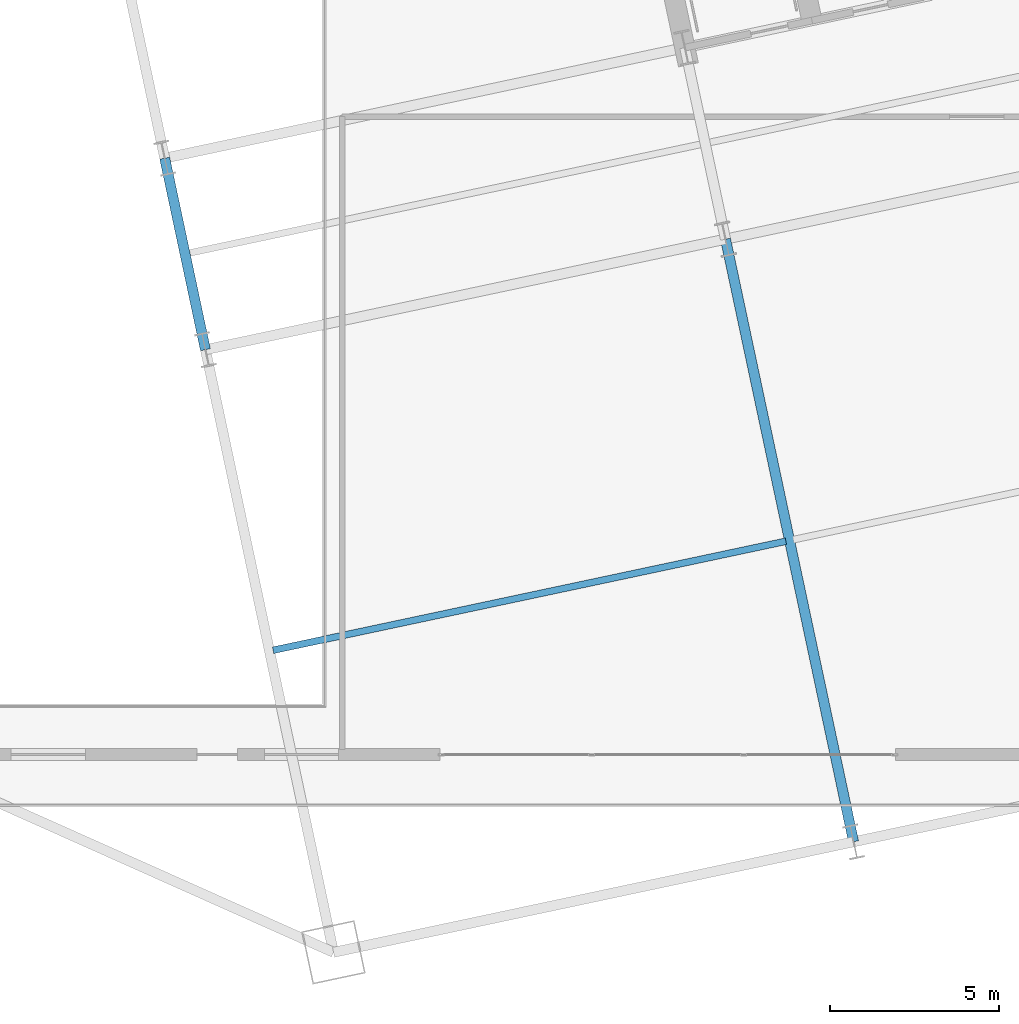
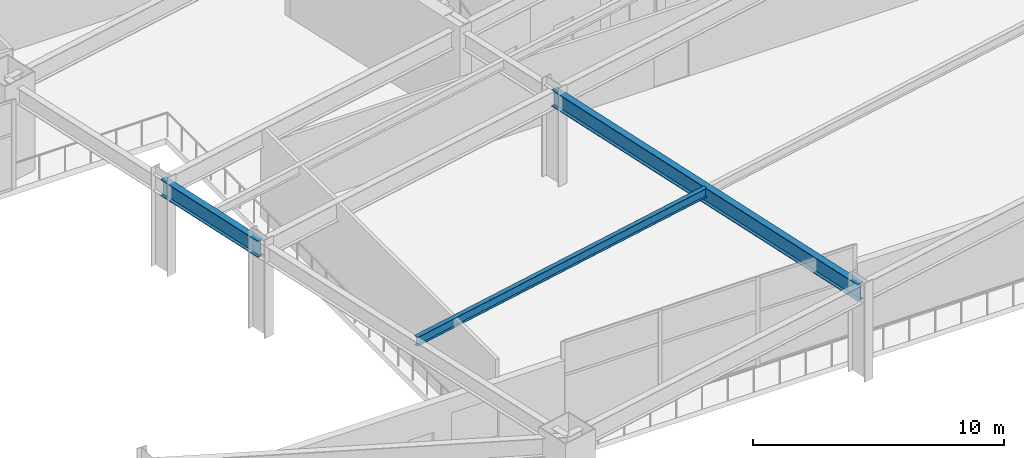
# One storey, part 13 of 35: 3 beams.
"""IFC4 building model written with IfcOpenShell, lengths in metres."""

from ifc_helpers import new_model, si_unit, direction, frame, origin, origin_2d, place, context, subcontext, project, spatial, i_section, extrude, material, material_profile, profile_set, type_object, element, save


model = new_model("IFC4")

# Units and contexts
model_context = context("Model", 3, precision=1e-05, world=origin(), true_north=direction((0.0, 1.0)))
body_context = subcontext(model_context, "Body", "Model", "MODEL_VIEW")
ifc_project = project(units=[si_unit("LENGTHUNIT", "METRE"), si_unit("AREAUNIT", "SQUARE_METRE"), si_unit("VOLUMEUNIT", "CUBIC_METRE"), si_unit("PLANEANGLEUNIT", "RADIAN"), si_unit("MASSUNIT", "GRAM", prefix="KILO")], contexts=[model_context])

# Site, building, storey
site_placement = place(None, origin())
site = spatial("IfcSite", under=ifc_project, at=site_placement, CompositionType="ELEMENT")
building_placement = place(site_placement, origin())
building = spatial("IfcBuilding", under=site, at=building_placement, Name="Haevon Station Towers", CompositionType="ELEMENT")
storey_placement = place(building_placement, frame((0.0, 0.0, 20.39990234375)))
storey = spatial("IfcBuildingStorey", under=building, at=storey_placement, Name="L04", CompositionType="ELEMENT", Elevation=20.39990234375)

# Beams
ifc_material = material(Name="Steel S355", Category="steel")
ifc_material_profile_1 = material_profile(ifc_material, i_section(OverallWidth=0.199951171875, OverallDepth=0.449951171875, WebThickness=0.009033203125, FlangeThickness=0.013916015625, at=origin_2d()), Name="H-450x200x9x14")
ifc_profile_set_1 = profile_set([ifc_material_profile_1], Name="Steel S355")
beam_type_1 = type_object("IfcBeamType", Name="BM-J450", PredefinedType="JOIST", material=ifc_profile_set_1)
beam_1_placement = place(storey_placement, frame((86.55712890625, 19.591796875, 4.22509765625), z_axis=(0.978145944065, 0.207919484679, 0.0), x_axis=(-0.207919484679, 0.978145944065, 0.0)))
element("IfcBeam", 1, at=beam_1_placement, inside=storey, type_object=beam_type_1, Name="BM-T2J-L04-01-01", PredefinedType="JOIST", context=body_context, shape_type="SweptSolid", body=[
    extrude(i_section(OverallWidth=0.199951171875, OverallDepth=0.449951171875, WebThickness=0.009033203125, FlangeThickness=0.013916015625, at=origin_2d()), origin(), (0.0, 0.0, 1.0), 15.530029296875),
])
ifc_material_profile_2 = material_profile(ifc_material, i_section(OverallWidth=0.300048828125, OverallDepth=0.800048828125, WebThickness=0.013916015625, FlangeThickness=0.02587890625, at=origin_2d()), Name="H-800x300x14x26")
ifc_profile_set_2 = profile_set([ifc_material_profile_2], Name="Steel S355")
beam_type_2 = type_object("IfcBeamType", Name="BM-PG800", PredefinedType="BEAM", material=ifc_profile_set_2)
beam_2_placement = place(storey_placement, frame((84.552490234375, 28.49462890625, 4.050048828125), z_axis=(-0.207944843707, 0.978140553282, 0.0), x_axis=(-0.978140553282, -0.207944843707, 0.0)))
element("IfcBeam", 2, at=beam_2_placement, inside=storey, type_object=beam_type_2, Name="BM-T2V-L04-01-02", PredefinedType="BEAM", context=body_context, shape_type="SweptSolid", body=[
    extrude(i_section(OverallWidth=0.300048828125, OverallDepth=0.800048828125, WebThickness=0.013916015625, FlangeThickness=0.02587890625, at=origin_2d()), origin(), (0.0, 0.0, 1.0), 5.7998046875),
])
beam_3_placement = place(storey_placement, frame((103.752685546875, 13.91796875, 4.050048828125), z_axis=(-0.207915393978, 0.978146813595, 0.0), x_axis=(-0.978146813595, -0.207915393978, 0.0)))
element("IfcBeam", 3, at=beam_3_placement, inside=storey, type_object=beam_type_2, Name="BM-T2V-L04-02-01", PredefinedType="BEAM", context=body_context, shape_type="SweptSolid", body=[
    extrude(i_section(OverallWidth=0.300048828125, OverallDepth=0.800048828125, WebThickness=0.013916015625, FlangeThickness=0.02587890625, at=origin_2d()), origin(), (0.0, 0.0, 1.0), 18.25),
])

save(model, "model.ifc")
